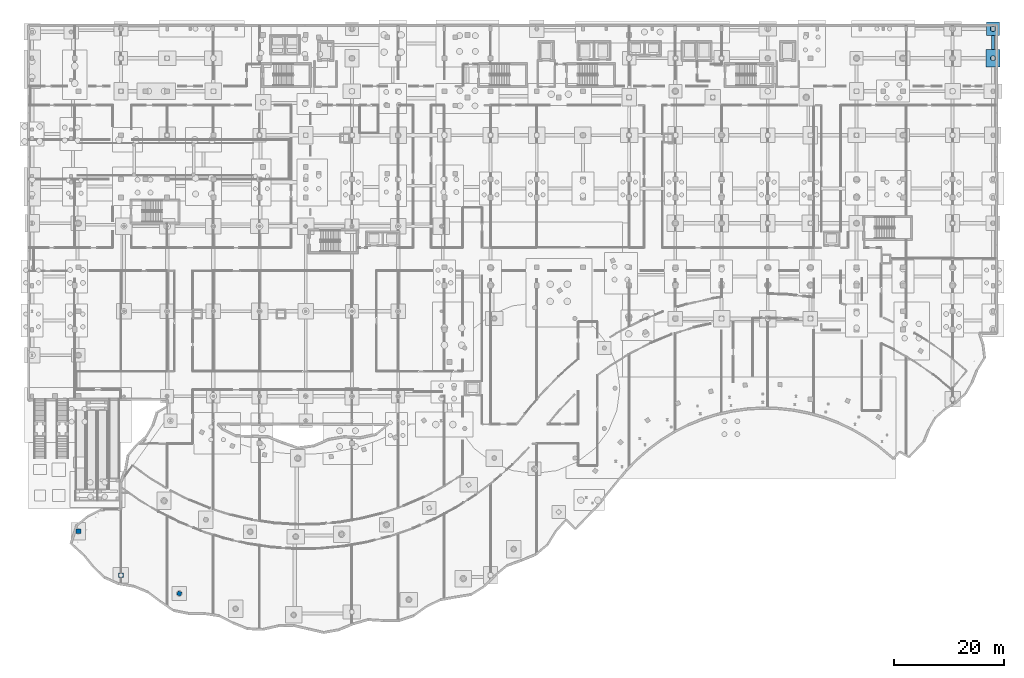
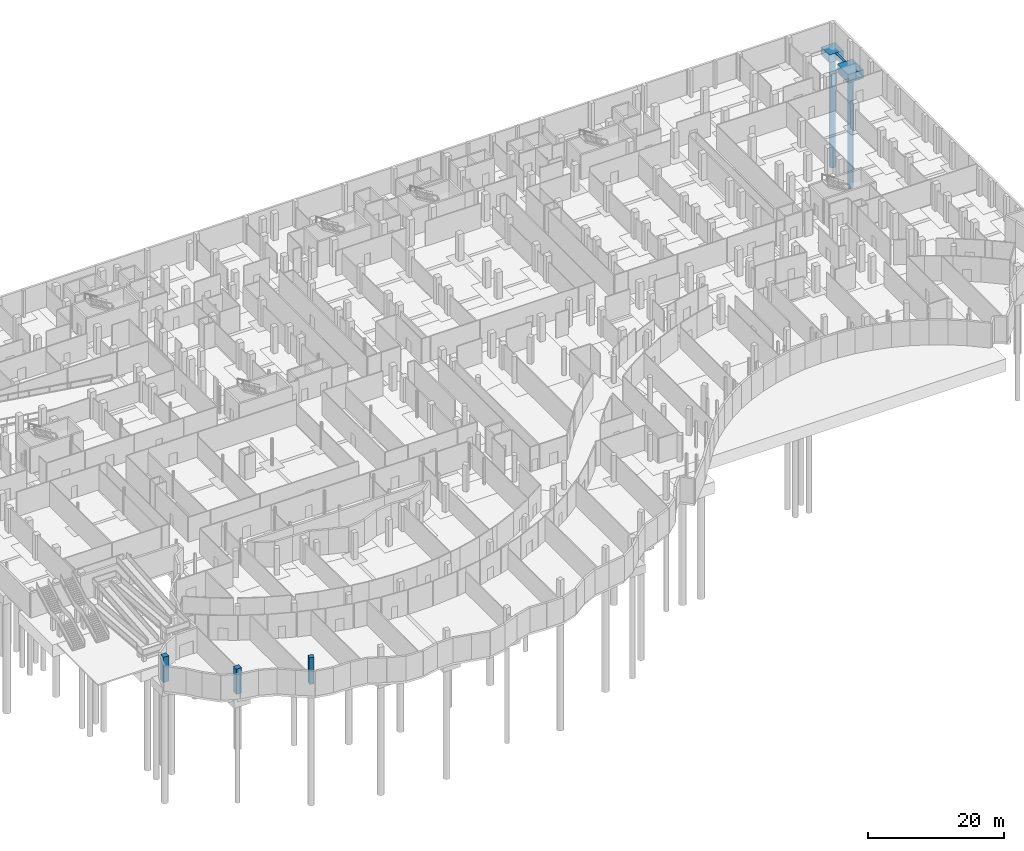
# One storey, part 9 of 45: 3 columns, 3 footings, 2 piles.
"""IFC4 building model written with IfcOpenShell, lengths in metres."""

from ifc_helpers import new_model, si_unit, direction, frame, origin, origin_2d, place, context, subcontext, project, spatial, rectangle, circle, extrude, material, material_profile, profile_set, type_object, element, save


model = new_model("IFC4")

# Units and contexts
model_context = context("Model", 3, precision=1e-05, world=origin(), true_north=direction((0.0, 1.0)))
body_context = subcontext(model_context, "Body", "Model", "MODEL_VIEW")
ifc_project = project(units=[si_unit("LENGTHUNIT", "METRE"), si_unit("AREAUNIT", "SQUARE_METRE"), si_unit("VOLUMEUNIT", "CUBIC_METRE"), si_unit("PLANEANGLEUNIT", "RADIAN"), si_unit("MASSUNIT", "GRAM", prefix="KILO")], contexts=[model_context])

# Site, building, storey
site_placement = place(None, origin())
site = spatial("IfcSite", under=ifc_project, at=site_placement, CompositionType="ELEMENT")
building_placement = place(site_placement, origin())
building = spatial("IfcBuilding", under=site, at=building_placement, Name="Selatvlak General Hospital", CompositionType="ELEMENT")
storey_placement = place(building_placement, frame((0.0, 0.0, -4.800048828125)))
storey = spatial("IfcBuildingStorey", under=building, at=storey_placement, Name="B1", CompositionType="ELEMENT", Elevation=-4.800048828125)

# Footings
ifc_material_1 = material(Name="Concrete C40/50", Category="concrete")
footing_type_1 = type_object("IfcFootingType", Name="FTG-PC-01", PredefinedType="PILE_CAP", material=ifc_material_1)
footing_1_placement = place(storey_placement, frame((181.35009765625, 119.35009765625, -1.39990234375), z_axis=(0.0, 0.0, 1.0), x_axis=(1.0, 0.0, 0.0)))
element("IfcFooting", 1, at=footing_1_placement, inside=storey, type_object=footing_type_1, Name="Pile cap CAP-186", PredefinedType="PILE_CAP", context=body_context, shape_type="SweptSolid", body=[
    extrude(rectangle(XDim=2.39990234375, YDim=2.39990234375, at=origin_2d()), origin(), (0.0, 0.0, 1.0), 1.39990234375),
])
footing_type_2 = type_object("IfcFootingType", Name="FTG-PC-06", PredefinedType="PILE_CAP", material=ifc_material_1)
footing_2_placement = place(storey_placement, frame((181.35009765625, 114.0, -1.5498046875), z_axis=(0.0, 0.0, 1.0), x_axis=(1.0, 0.0, 0.0)))
element("IfcFooting", 2, at=footing_2_placement, inside=storey, type_object=footing_type_2, Name="Pile cap CAP-185", PredefinedType="PILE_CAP", context=body_context, shape_type="SweptSolid", body=[
    extrude(rectangle(XDim=2.60009765625, YDim=3.199951171875, at=origin_2d()), origin(), (0.0, 0.0, 1.0), 1.550048828125),
])
ifc_material_2 = material(Name="Concrete C35/45", Category="concrete")
footing_type_3 = type_object("IfcFootingType", Name="FTG-TB-96", PredefinedType="FOOTING_BEAM", material=ifc_material_2)
footing_3_placement = place(storey_placement, frame((181.35009765625, 116.875, -0.7998046875), z_axis=(0.0, 0.0, 1.0), x_axis=(0.0, 1.0, 0.0)))
element("IfcFooting", 3, at=footing_3_placement, inside=storey, type_object=footing_type_3, Name="Foundation tie beam TBF-212", PredefinedType="FOOTING_BEAM", context=body_context, shape_type="SweptSolid", body=[
    extrude(rectangle(XDim=2.530029296875, YDim=0.5, at=origin_2d()), origin(), (0.0, 0.0, 1.0), 0.800048828125),
])

# Piles
ifc_material_profile_1 = material_profile(ifc_material_1, circle(Radius=0.449951171875, at=origin_2d()), Name="BORED PILE 900")
ifc_profile_set_1 = profile_set([ifc_material_profile_1], Name="Concrete C40/50")
pile_type_1 = type_object("IfcPileType", Name="PILE-BP-06", PredefinedType="BORED", material=ifc_profile_set_1)
pile_1_placement = place(storey_placement, frame((181.35009765625, 114.0, -1.449951171875), z_axis=(0.0, 0.0, -1.0), x_axis=(1.0, 0.0, 0.0)))
element("IfcPile", 4, at=pile_1_placement, inside=storey, type_object=pile_type_1, Name="Bored pile PLF-0346", PredefinedType="BORED", context=body_context, shape_type="SweptSolid", body=[
    extrude(circle(Radius=0.449951171875, at=origin_2d()), origin(), (0.0, 0.0, 1.0), 20.199951171875),
])
ifc_material_profile_2 = material_profile(ifc_material_1, circle(Radius=0.5, at=origin_2d()), Name="BORED PILE 1000")
ifc_profile_set_2 = profile_set([ifc_material_profile_2], Name="Concrete C40/50")
pile_type_2 = type_object("IfcPileType", Name="PILE-BP-07", PredefinedType="BORED", material=ifc_profile_set_2)
pile_2_placement = place(storey_placement, frame((181.35009765625, 119.35009765625, -1.300048828125), z_axis=(0.0, 0.0, -1.0), x_axis=(1.0, 0.0, 0.0)))
element("IfcPile", 5, at=pile_2_placement, inside=storey, type_object=pile_type_2, Name="Bored pile PLF-0347", PredefinedType="BORED", context=body_context, shape_type="SweptSolid", body=[
    extrude(circle(Radius=0.5, at=origin_2d()), origin(), (0.0, 0.0, 1.0), 19.800048828125),
])

# Columns
ifc_material_3 = material(Name="Concrete C50/60", Category="concrete")
ifc_material_profile_3 = material_profile(ifc_material_3, rectangle(XDim=0.75, YDim=0.75, at=origin_2d()), Name="RC-COL 750x750")
ifc_profile_set_3 = profile_set([ifc_material_profile_3], Name="Concrete C50/60")
column_type_1 = type_object("IfcColumnType", Name="COL-RC75", PredefinedType="COLUMN", material=ifc_profile_set_3)
column_placement = place(storey_placement, frame((33.4189453125, 16.68603515625, 0.0), z_axis=(0.0, 0.0, 1.0), x_axis=(0.338261654325, 0.941052099096, 0.0)))
element("IfcColumn", 6, at=column_placement, inside=storey, type_object=column_type_1, Name="Column 318 on B1", PredefinedType="COLUMN", context=body_context, shape_type="SweptSolid", body=[
    extrude(rectangle(XDim=0.75, YDim=0.75, at=origin_2d()), origin(), (0.0, 0.0, 1.0), 4.800048828125),
])
ifc_material_profile_4 = material_profile(ifc_material_3, rectangle(XDim=0.89990234375, YDim=0.89990234375, at=origin_2d()), Name="RC-COL 900x900")
ifc_profile_set_4 = profile_set([ifc_material_profile_4], Name="Concrete C50/60")
column_type_2 = type_object("IfcColumnType", Name="COL-RC90", PredefinedType="COLUMN", material=ifc_profile_set_4)
for number, where, z_axis, x_axis, name in (
    (7, (15.050048828125, 28.0, 0.0), (0.0, 0.0, 1.0), (1.0, 0.0, 0.0), "Column 155 on B1"),
    (8, (22.800048828125, 20.0, 0.0), (0.0, 0.0, 1.0), (1.0, 0.0, 0.0), "Column 157 on B1"),
):
    element("IfcColumn", number, at=place(storey_placement, frame(where, z_axis=z_axis, x_axis=x_axis)), inside=storey, type_object=column_type_2, Name=name, PredefinedType="COLUMN", context=body_context, shape_type="SweptSolid", body=[
        extrude(rectangle(XDim=0.89990234375, YDim=0.89990234375, at=origin_2d()), origin(), (0.0, 0.0, 1.0), 4.56494140625),
    ])

save(model, "model.ifc")
